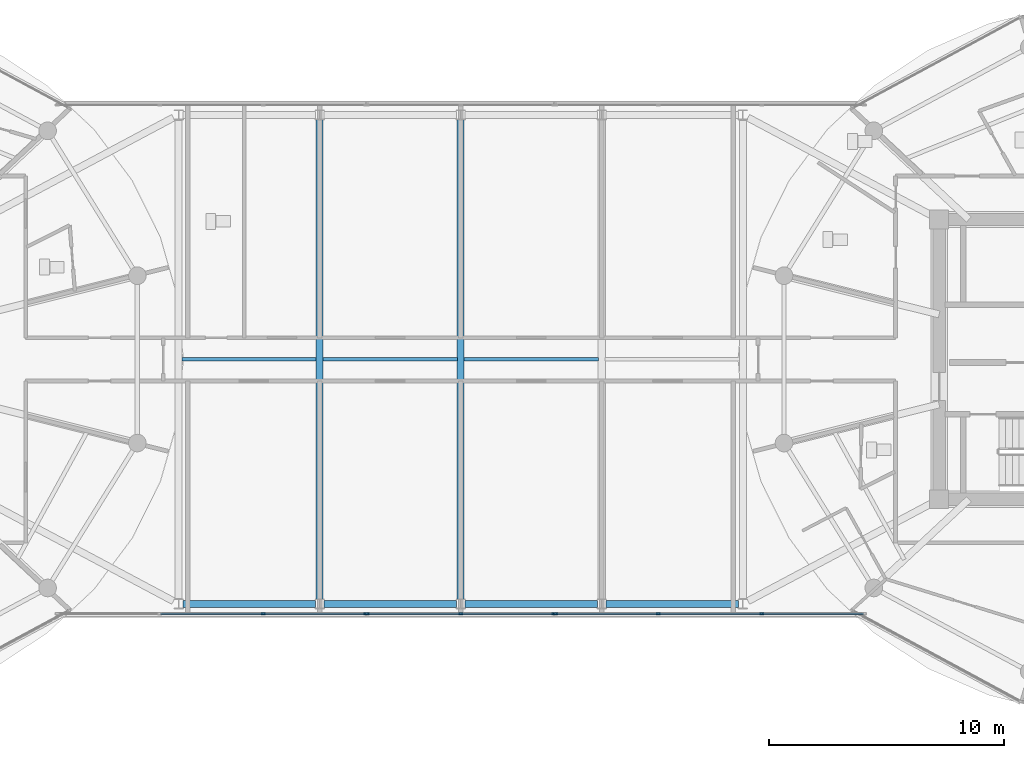
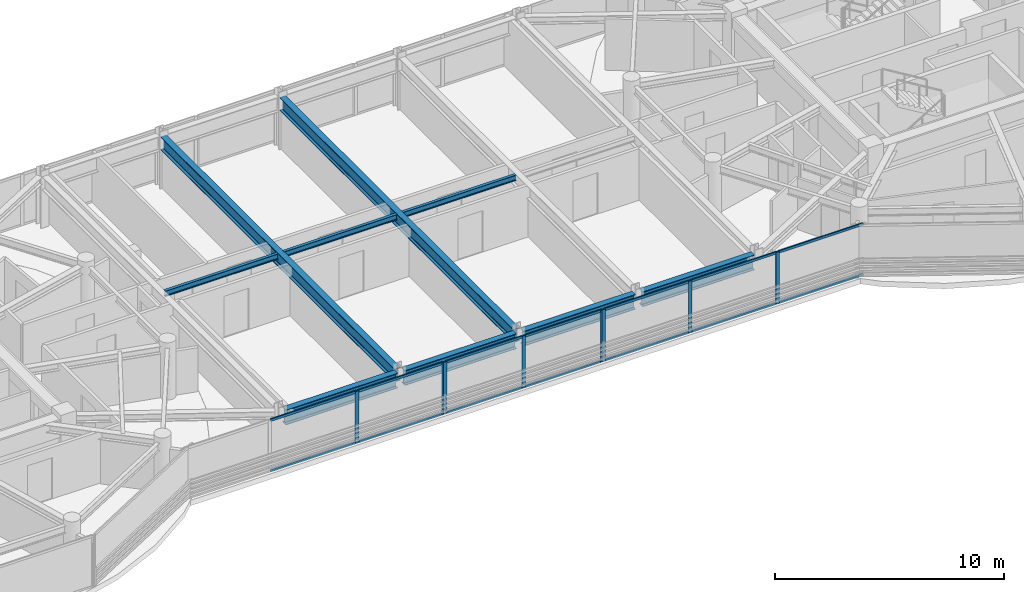
# One storey, part 6 of 26: 22 members, 9 beams, 3 elements without a shape of their own.
"""IFC4 building model written with IfcOpenShell, lengths in metres."""

from ifc_helpers import new_model, si_unit, direction, frame, origin, origin_2d, place, context, subcontext, project, spatial, rectangle, i_section, extrude, source, transform, mapped, material, layer, layer_set, material_profile, profile_set, type_object, type_shapes, element, aggregate, save


model = new_model("IFC4")

# Units and contexts
model_context = context("Model", 3, precision=1e-05, world=origin(), true_north=direction((0.0, 1.0)))
body_context = subcontext(model_context, "Body", "Model", "MODEL_VIEW")
ifc_project = project(units=[si_unit("LENGTHUNIT", "METRE"), si_unit("AREAUNIT", "SQUARE_METRE"), si_unit("VOLUMEUNIT", "CUBIC_METRE"), si_unit("PLANEANGLEUNIT", "RADIAN"), si_unit("MASSUNIT", "GRAM", prefix="KILO")], contexts=[model_context])

# Site, building, storey
site_placement = place(None, origin())
site = spatial("IfcSite", under=ifc_project, at=site_placement, CompositionType="ELEMENT")
building_placement = place(site_placement, origin())
building = spatial("IfcBuilding", under=site, at=building_placement, Name="Norrkilde Senior Care Towers", CompositionType="ELEMENT")
storey_placement = place(building_placement, frame((0.0, 0.0, 210.85009765625)))
storey = spatial("IfcBuildingStorey", under=building, at=storey_placement, Name="L65", CompositionType="ELEMENT", Elevation=210.85009765625)

# Beams
ifc_material_1 = material(Name="Steel S355", Category="steel")
ifc_material_profile_1 = material_profile(ifc_material_1, i_section(OverallWidth=0.300048828125, OverallDepth=0.699951171875, WebThickness=0.01708984375, FlangeThickness=0.031982421875, FilletRadius=0.027099609375, at=origin_2d()), Name="HEB 700")
ifc_profile_set_1 = profile_set([ifc_material_profile_1], Name="Steel S355")
beam_type_1 = type_object("IfcBeamType", Name="Bridge Cross Girder HEB700", PredefinedType="USERDEFINED", material=ifc_profile_set_1)
shared_shape_1 = source(origin(), body_context, "Body", "SweptSolid", [
    extrude(i_section(OverallWidth=0.300048828125, OverallDepth=0.699951171875, WebThickness=0.01708984375, FlangeThickness=0.031982421875, FilletRadius=0.027099609375, at=origin_2d()), origin(), (0.0, 0.0, 1.0), 20.43994140625),
])
type_shapes(beam_type_1, [shared_shape_1])
for number, where, z_axis, x_axis, name in (
    (1, (-6.0, -10.219970703125, 2.409912109375), (0.0, 1.0, 0.0), (-1.0, 0.0, 0.0), "L65 Sky-Gate Bridge Cross Girder -6"),
    (2, (0.0, -10.219970703125, 2.409912109375), (0.0, 1.0, 0.0), (-1.0, 0.0, 0.0), "L65 Sky-Gate Bridge Cross Girder +0"),
):
    element("IfcBeam", number, at=place(storey_placement, frame(where, z_axis=z_axis, x_axis=x_axis)), inside=storey, type_object=beam_type_1, Name=name, ObjectType="GIRDER", PredefinedType="USERDEFINED", context=body_context, shape_type="MappedRepresentation", body=[
        mapped(shared_shape_1, transform((0.0, 0.0, 0.0), x_axis=(1.0, 0.0, 0.0), y_axis=(0.0, 1.0, 0.0), z_axis=(0.0, 0.0, 1.0), scale=1.0)),
    ])
ifc_material_profile_2 = material_profile(ifc_material_1, i_section(OverallWidth=0.300048828125, OverallDepth=0.800048828125, WebThickness=0.017578125, FlangeThickness=0.032958984375, FilletRadius=0.030029296875, at=origin_2d()), Name="HEB 800")
ifc_profile_set_2 = profile_set([ifc_material_profile_2], Name="Steel S355")
beam_type_2 = type_object("IfcBeamType", Name="Bridge Floor Girder HEB800", PredefinedType="USERDEFINED", material=ifc_profile_set_2)
shared_shape_2 = source(origin(), body_context, "Body", "SweptSolid", [
    extrude(i_section(OverallWidth=0.300048828125, OverallDepth=0.800048828125, WebThickness=0.017578125, FlangeThickness=0.032958984375, FilletRadius=0.030029296875, at=origin_2d()), origin(), (0.0, 0.0, 1.0), 5.64013671875),
])
type_shapes(beam_type_2, [shared_shape_2])
for number, where, z_axis, x_axis, name in (
    (3, (-11.820068359375, -10.39990234375, 2.35986328125), (1.0, 0.0, 0.0), (0.0, 1.0, 0.0), "L65 Sky-Gate Bridge Girder S2"),
    (4, (-5.820068359375, -10.39990234375, 2.35986328125), (1.0, 0.0, 0.0), (0.0, 1.0, 0.0), "L65 Sky-Gate Bridge Girder S3"),
    (5, (0.179931640625, -10.39990234375, 2.35986328125), (1.0, 0.0, 0.0), (0.0, 1.0, 0.0), "L65 Sky-Gate Bridge Girder S4"),
    (6, (6.179931640625, -10.39990234375, 2.35986328125), (1.0, 0.0, 0.0), (0.0, 1.0, 0.0), "L65 Sky-Gate Bridge Girder S5"),
):
    element("IfcBeam", number, at=place(storey_placement, frame(where, z_axis=z_axis, x_axis=x_axis)), inside=storey, type_object=beam_type_2, Name=name, ObjectType="GIRDER", PredefinedType="USERDEFINED", context=body_context, shape_type="MappedRepresentation", body=[
        mapped(shared_shape_2, transform((0.0, 0.0, 0.0), x_axis=(1.0, 0.0, 0.0), y_axis=(0.0, 1.0, 0.0), z_axis=(0.0, 0.0, 1.0), scale=1.0)),
    ])
ifc_material_profile_3 = material_profile(ifc_material_1, i_section(OverallWidth=0.14990234375, OverallDepth=0.300048828125, WebThickness=0.007080078125, FlangeThickness=0.0107421875, FilletRadius=0.014892578125, at=origin_2d()), Name="IPE 300")
ifc_profile_set_3 = profile_set([ifc_material_profile_3], Name="Steel S355")
beam_type_3 = type_object("IfcBeamType", Name="Bridge Deck Joist IPE300", PredefinedType="JOIST", material=ifc_profile_set_3)
shared_shape_3 = source(origin(), body_context, "Body", "SweptSolid", [
    extrude(i_section(OverallWidth=0.14990234375, OverallDepth=0.300048828125, WebThickness=0.007080078125, FlangeThickness=0.0107421875, FilletRadius=0.014892578125, at=origin_2d()), origin(), (0.0, 0.0, 1.0), 5.7099609375),
])
type_shapes(beam_type_3, [shared_shape_3])
for number, where, z_axis, x_axis, name in (
    (7, (-11.85498046875, 0.0, 2.60986328125), (1.0, 0.0, 0.0), (0.0, 1.0, 0.0), "L65 Bridge Deck Joist 1"),
    (8, (-5.85498046875, 0.0, 2.60986328125), (1.0, 0.0, 0.0), (0.0, 1.0, 0.0), "L65 Bridge Deck Joist 2"),
    (9, (0.14501953125, 0.0, 2.60986328125), (1.0, 0.0, 0.0), (0.0, 1.0, 0.0), "L65 Bridge Deck Joist 3"),
):
    element("IfcBeam", number, at=place(storey_placement, frame(where, z_axis=z_axis, x_axis=x_axis)), inside=storey, type_object=beam_type_3, Name=name, PredefinedType="JOIST", context=body_context, shape_type="MappedRepresentation", body=[
        mapped(shared_shape_3, transform((0.0, 0.0, 0.0), x_axis=(1.0, 0.0, 0.0), y_axis=(0.0, 1.0, 0.0), z_axis=(0.0, 0.0, 1.0), scale=1.0)),
    ])

# Curtain wall, members
ifc_material_2 = material(Name="Triple Low-E Insulated Glazing", Category="glass")
ifc_layer = layer(ifc_material_2, 0.2099609375)
ifc_layer_set = layer_set([ifc_layer], Name="Triple Low-E Insulated Glazing")
curtain_wall_type = type_object("IfcCurtainWallType", Name="CW5 Sky-Gate Bridge Curtain Wall", PredefinedType="NOTDEFINED", material=ifc_layer_set)
curtain_wall_1_placement = place(storey_placement, origin())
curtain_wall_1 = element("IfcCurtainWall", 10, at=curtain_wall_1_placement, inside=storey, type_object=curtain_wall_type, Name="L65 Sky-Gate Bridge South Curtain Wall 1", PredefinedType="NOTDEFINED")
ifc_material_3 = material(Name="Anodised Aluminium", Category="aluminium")
ifc_material_profile_4 = material_profile(ifc_material_3, rectangle(XDim=0.06494140625, YDim=0.1298828125, at=origin_2d()), Name="ALU TRAN 65x130")
ifc_profile_set_4 = profile_set([ifc_material_profile_4], Name="Anodised Aluminium")
member_type_1 = type_object("IfcMemberType", Name="Curtain Wall Transom Heavy 65x130", PredefinedType="USERDEFINED", material=ifc_profile_set_4)
shared_shape_4 = source(origin(), body_context, "Body", "SweptSolid", [
    extrude(rectangle(XDim=0.06494140625, YDim=0.1298828125, at=origin_2d()), origin(), (0.0, 0.0, 1.0), 4.294921875),
])
member_1_placement = place(storey_placement, frame((17.1298828125, -10.820068359375, 0.032470703125), z_axis=(-1.0, 0.0, 0.0), x_axis=(0.0, -1.0, 0.0)))
member_1 = element("IfcMember", 11, at=member_1_placement, type_object=member_type_1, Name="CW-5 transom 1.1", ObjectType="TRANSOM", PredefinedType="USERDEFINED", context=body_context, shape_type="MappedRepresentation", body=[
    mapped(shared_shape_4, transform((0.0, 0.0, 0.0), x_axis=(1.0, 0.0, 0.0), y_axis=(0.0, 1.0, 0.0), z_axis=(0.0, 0.0, 1.0), scale=1.0)),
])
member_2_placement = place(storey_placement, frame((17.1298828125, -10.820068359375, 2.727294921875), z_axis=(-1.0, 0.0, 0.0), x_axis=(0.0, -1.0, 0.0)))
member_2 = element("IfcMember", 12, at=member_2_placement, type_object=member_type_1, Name="CW-5 transom 1.2", ObjectType="TRANSOM", PredefinedType="USERDEFINED", context=body_context, shape_type="MappedRepresentation", body=[
    mapped(shared_shape_4, transform((0.0, 0.0, 0.0), x_axis=(1.0, 0.0, 0.0), y_axis=(0.0, 1.0, 0.0), z_axis=(0.0, 0.0, 1.0), scale=1.0)),
])
member_3_placement = place(storey_placement, frame((8.364990234375, -10.820068359375, 0.032470703125), z_axis=(-1.0, 0.0, 0.0), x_axis=(0.0, -1.0, 0.0)))
member_3 = element("IfcMember", 13, at=member_3_placement, type_object=member_type_1, Name="CW-5 transom 3.1", ObjectType="TRANSOM", PredefinedType="USERDEFINED", context=body_context, shape_type="MappedRepresentation", body=[
    mapped(shared_shape_4, transform((0.0, 0.0, 0.0), x_axis=(1.0, 0.0, 0.0), y_axis=(0.0, 1.0, 0.0), z_axis=(0.0, 0.0, 1.0), scale=1.0)),
])
member_4_placement = place(storey_placement, frame((8.364990234375, -10.820068359375, 2.727294921875), z_axis=(-1.0, 0.0, 0.0), x_axis=(0.0, -1.0, 0.0)))
member_4 = element("IfcMember", 14, at=member_4_placement, type_object=member_type_1, Name="CW-5 transom 3.2", ObjectType="TRANSOM", PredefinedType="USERDEFINED", context=body_context, shape_type="MappedRepresentation", body=[
    mapped(shared_shape_4, transform((0.0, 0.0, 0.0), x_axis=(1.0, 0.0, 0.0), y_axis=(0.0, 1.0, 0.0), z_axis=(0.0, 0.0, 1.0), scale=1.0)),
])

curtain_wall_2_placement = place(storey_placement, origin())
curtain_wall_2 = element("IfcCurtainWall", 15, at=curtain_wall_2_placement, inside=storey, type_object=curtain_wall_type, Name="L65 Sky-Gate Bridge South Curtain Wall 3", PredefinedType="NOTDEFINED")
member_5_placement = place(storey_placement, frame((-4.070068359375, -10.820068359375, 0.032470703125), z_axis=(-1.0, 0.0, 0.0), x_axis=(0.0, -1.0, 0.0)))
member_5 = element("IfcMember", 16, at=member_5_placement, type_object=member_type_1, Name="CW-5 transom 1.1", ObjectType="TRANSOM", PredefinedType="USERDEFINED", context=body_context, shape_type="MappedRepresentation", body=[
    mapped(shared_shape_4, transform((0.0, 0.0, 0.0), x_axis=(1.0, 0.0, 0.0), y_axis=(0.0, 1.0, 0.0), z_axis=(0.0, 0.0, 1.0), scale=1.0)),
])
member_6_placement = place(storey_placement, frame((-4.070068359375, -10.820068359375, 2.727294921875), z_axis=(-1.0, 0.0, 0.0), x_axis=(0.0, -1.0, 0.0)))
member_6 = element("IfcMember", 17, at=member_6_placement, type_object=member_type_1, Name="CW-5 transom 1.2", ObjectType="TRANSOM", PredefinedType="USERDEFINED", context=body_context, shape_type="MappedRepresentation", body=[
    mapped(shared_shape_4, transform((0.0, 0.0, 0.0), x_axis=(1.0, 0.0, 0.0), y_axis=(0.0, 1.0, 0.0), z_axis=(0.0, 0.0, 1.0), scale=1.0)),
])

# Member
shared_shape_5 = source(origin(), body_context, "Body", "SweptSolid", [
    extrude(rectangle(XDim=0.06494140625, YDim=0.1298828125, at=origin_2d()), origin(), (0.0, 0.0, 1.0), 4.329833984375),
])
member_7_placement = place(storey_placement, frame((12.764892578125, -10.820068359375, 0.032470703125), z_axis=(-1.0, 0.0, 0.0), x_axis=(0.0, -1.0, 0.0)))
member_7 = element("IfcMember", 18, at=member_7_placement, type_object=member_type_1, Name="CW-5 transom 2.1", ObjectType="TRANSOM", PredefinedType="USERDEFINED", context=body_context, shape_type="MappedRepresentation", body=[
    mapped(shared_shape_5, transform((0.0, 0.0, 0.0), x_axis=(1.0, 0.0, 0.0), y_axis=(0.0, 1.0, 0.0), z_axis=(0.0, 0.0, 1.0), scale=1.0)),
])

member_8_placement = place(storey_placement, frame((12.764892578125, -10.820068359375, 2.727294921875), z_axis=(-1.0, 0.0, 0.0), x_axis=(0.0, -1.0, 0.0)))
member_8 = element("IfcMember", 19, at=member_8_placement, type_object=member_type_1, Name="CW-5 transom 2.2", ObjectType="TRANSOM", PredefinedType="USERDEFINED", context=body_context, shape_type="MappedRepresentation", body=[
    mapped(shared_shape_5, transform((0.0, 0.0, 0.0), x_axis=(1.0, 0.0, 0.0), y_axis=(0.0, 1.0, 0.0), z_axis=(0.0, 0.0, 1.0), scale=1.0)),
])

member_9_placement = place(storey_placement, frame((-8.43505859375, -10.820068359375, 0.032470703125), z_axis=(-1.0, 0.0, 0.0), x_axis=(0.0, -1.0, 0.0)))
member_9 = element("IfcMember", 20, at=member_9_placement, type_object=member_type_1, Name="CW-5 transom 2.1", ObjectType="TRANSOM", PredefinedType="USERDEFINED", context=body_context, shape_type="MappedRepresentation", body=[
    mapped(shared_shape_5, transform((0.0, 0.0, 0.0), x_axis=(1.0, 0.0, 0.0), y_axis=(0.0, 1.0, 0.0), z_axis=(0.0, 0.0, 1.0), scale=1.0)),
])

member_10_placement = place(storey_placement, frame((-8.43505859375, -10.820068359375, 2.727294921875), z_axis=(-1.0, 0.0, 0.0), x_axis=(0.0, -1.0, 0.0)))
member_10 = element("IfcMember", 21, at=member_10_placement, type_object=member_type_1, Name="CW-5 transom 2.2", ObjectType="TRANSOM", PredefinedType="USERDEFINED", context=body_context, shape_type="MappedRepresentation", body=[
    mapped(shared_shape_5, transform((0.0, 0.0, 0.0), x_axis=(1.0, 0.0, 0.0), y_axis=(0.0, 1.0, 0.0), z_axis=(0.0, 0.0, 1.0), scale=1.0)),
])

# Curtain wall, members
curtain_wall_3_placement = place(storey_placement, origin())
curtain_wall_3 = element("IfcCurtainWall", 22, at=curtain_wall_3_placement, inside=storey, type_object=curtain_wall_type, Name="L65 Sky-Gate Bridge South Curtain Wall 2", PredefinedType="NOTDEFINED")
shared_shape_6 = source(origin(), body_context, "Body", "SweptSolid", [
    extrude(rectangle(XDim=0.06494140625, YDim=0.1298828125, at=origin_2d()), origin(), (0.0, 0.0, 1.0), 3.89501953125),
])
type_shapes(member_type_1, [shared_shape_4, shared_shape_5, shared_shape_6])
member_11_placement = place(storey_placement, frame((3.929931640625, -10.820068359375, 0.032470703125), z_axis=(-1.0, 0.0, 0.0), x_axis=(0.0, -1.0, 0.0)))
member_11 = element("IfcMember", 23, at=member_11_placement, type_object=member_type_1, Name="CW-5 transom 1.1", ObjectType="TRANSOM", PredefinedType="USERDEFINED", context=body_context, shape_type="MappedRepresentation", body=[
    mapped(shared_shape_6, transform((0.0, 0.0, 0.0), x_axis=(1.0, 0.0, 0.0), y_axis=(0.0, 1.0, 0.0), z_axis=(0.0, 0.0, 1.0), scale=1.0)),
])
member_12_placement = place(storey_placement, frame((3.929931640625, -10.820068359375, 2.727294921875), z_axis=(-1.0, 0.0, 0.0), x_axis=(0.0, -1.0, 0.0)))
member_12 = element("IfcMember", 24, at=member_12_placement, type_object=member_type_1, Name="CW-5 transom 1.2", ObjectType="TRANSOM", PredefinedType="USERDEFINED", context=body_context, shape_type="MappedRepresentation", body=[
    mapped(shared_shape_6, transform((0.0, 0.0, 0.0), x_axis=(1.0, 0.0, 0.0), y_axis=(0.0, 1.0, 0.0), z_axis=(0.0, 0.0, 1.0), scale=1.0)),
])
member_13_placement = place(storey_placement, frame((-0.034912109375, -10.820068359375, 0.032470703125), z_axis=(-1.0, 0.0, 0.0), x_axis=(0.0, -1.0, 0.0)))
member_13 = element("IfcMember", 25, at=member_13_placement, type_object=member_type_1, Name="CW-5 transom 2.1", ObjectType="TRANSOM", PredefinedType="USERDEFINED", context=body_context, shape_type="MappedRepresentation", body=[
    mapped(shared_shape_6, transform((0.0, 0.0, 0.0), x_axis=(1.0, 0.0, 0.0), y_axis=(0.0, 1.0, 0.0), z_axis=(0.0, 0.0, 1.0), scale=1.0)),
])
member_14_placement = place(storey_placement, frame((-0.034912109375, -10.820068359375, 2.727294921875), z_axis=(-1.0, 0.0, 0.0), x_axis=(0.0, -1.0, 0.0)))
member_14 = element("IfcMember", 26, at=member_14_placement, type_object=member_type_1, Name="CW-5 transom 2.2", ObjectType="TRANSOM", PredefinedType="USERDEFINED", context=body_context, shape_type="MappedRepresentation", body=[
    mapped(shared_shape_6, transform((0.0, 0.0, 0.0), x_axis=(1.0, 0.0, 0.0), y_axis=(0.0, 1.0, 0.0), z_axis=(0.0, 0.0, 1.0), scale=1.0)),
])

# Member
ifc_material_profile_5 = material_profile(ifc_material_3, rectangle(XDim=0.070068359375, YDim=0.169921875, at=origin_2d()), Name="ALU MULL 70x170")
ifc_profile_set_5 = profile_set([ifc_material_profile_5], Name="Anodised Aluminium")
member_type_2 = type_object("IfcMemberType", Name="Curtain Wall Mullion Heavy 70x170", PredefinedType="MULLION", material=ifc_profile_set_5)
shared_shape_7 = source(origin(), body_context, "Body", "SweptSolid", [
    extrude(rectangle(XDim=0.070068359375, YDim=0.169921875, at=origin_2d()), origin(), (0.0, 0.0, 1.0), 2.760009765625),
])
type_shapes(member_type_2, [shared_shape_7])
member_15_placement = place(storey_placement, frame((12.800048828125, -10.820068359375, 0.0), z_axis=(0.0, 0.0, 1.0), x_axis=(0.0, -1.0, 0.0)))
member_15 = element("IfcMember", 27, at=member_15_placement, type_object=member_type_2, Name="CW-5 mullion 2", PredefinedType="MULLION", context=body_context, shape_type="MappedRepresentation", body=[
    mapped(shared_shape_7, transform((0.0, 0.0, 0.0), x_axis=(1.0, 0.0, 0.0), y_axis=(0.0, 1.0, 0.0), z_axis=(0.0, 0.0, 1.0), scale=1.0)),
])

member_16_placement = place(storey_placement, frame((8.39990234375, -10.820068359375, 0.0), z_axis=(0.0, 0.0, 1.0), x_axis=(0.0, -1.0, 0.0)))
member_16 = element("IfcMember", 28, at=member_16_placement, type_object=member_type_2, Name="CW-5 mullion 3", PredefinedType="MULLION", context=body_context, shape_type="MappedRepresentation", body=[
    mapped(shared_shape_7, transform((0.0, 0.0, 0.0), x_axis=(1.0, 0.0, 0.0), y_axis=(0.0, 1.0, 0.0), z_axis=(0.0, 0.0, 1.0), scale=1.0)),
])

member_17_placement = place(storey_placement, frame((4.034912109375, -10.820068359375, 0.0), z_axis=(0.0, 0.0, 1.0), x_axis=(0.0, -1.0, 0.0)))
member_17 = element("IfcMember", 29, at=member_17_placement, type_object=member_type_2, Name="CW-5 mullion 4", PredefinedType="MULLION", context=body_context, shape_type="MappedRepresentation", body=[
    mapped(shared_shape_7, transform((0.0, 0.0, 0.0), x_axis=(1.0, 0.0, 0.0), y_axis=(0.0, 1.0, 0.0), z_axis=(0.0, 0.0, 1.0), scale=1.0)),
])

aggregate(curtain_wall_1, [member_15, member_16, member_17, member_1, member_2, member_7, member_8, member_3, member_4])

member_18_placement = place(storey_placement, frame((3.965087890625, -10.820068359375, 0.0), z_axis=(0.0, 0.0, 1.0), x_axis=(0.0, -1.0, 0.0)))
member_18 = element("IfcMember", 30, at=member_18_placement, type_object=member_type_2, Name="CW-5 mullion 1", PredefinedType="MULLION", context=body_context, shape_type="MappedRepresentation", body=[
    mapped(shared_shape_7, transform((0.0, 0.0, 0.0), x_axis=(1.0, 0.0, 0.0), y_axis=(0.0, 1.0, 0.0), z_axis=(0.0, 0.0, 1.0), scale=1.0)),
])

member_19_placement = place(storey_placement, frame((0.0, -10.820068359375, 0.0), z_axis=(0.0, 0.0, 1.0), x_axis=(0.0, -1.0, 0.0)))
member_19 = element("IfcMember", 31, at=member_19_placement, type_object=member_type_2, Name="CW-5 mullion 2", PredefinedType="MULLION", context=body_context, shape_type="MappedRepresentation", body=[
    mapped(shared_shape_7, transform((0.0, 0.0, 0.0), x_axis=(1.0, 0.0, 0.0), y_axis=(0.0, 1.0, 0.0), z_axis=(0.0, 0.0, 1.0), scale=1.0)),
])

member_20_placement = place(storey_placement, frame((-3.965087890625, -10.820068359375, 0.0), z_axis=(0.0, 0.0, 1.0), x_axis=(0.0, -1.0, 0.0)))
member_20 = element("IfcMember", 32, at=member_20_placement, type_object=member_type_2, Name="CW-5 mullion 3", PredefinedType="MULLION", context=body_context, shape_type="MappedRepresentation", body=[
    mapped(shared_shape_7, transform((0.0, 0.0, 0.0), x_axis=(1.0, 0.0, 0.0), y_axis=(0.0, 1.0, 0.0), z_axis=(0.0, 0.0, 1.0), scale=1.0)),
])

aggregate(curtain_wall_3, [member_18, member_19, member_20, member_11, member_12, member_13, member_14])

member_21_placement = place(storey_placement, frame((-4.034912109375, -10.820068359375, 0.0), z_axis=(0.0, 0.0, 1.0), x_axis=(0.0, -1.0, 0.0)))
member_21 = element("IfcMember", 33, at=member_21_placement, type_object=member_type_2, Name="CW-5 mullion 1", PredefinedType="MULLION", context=body_context, shape_type="MappedRepresentation", body=[
    mapped(shared_shape_7, transform((0.0, 0.0, 0.0), x_axis=(1.0, 0.0, 0.0), y_axis=(0.0, 1.0, 0.0), z_axis=(0.0, 0.0, 1.0), scale=1.0)),
])

member_22_placement = place(storey_placement, frame((-8.39990234375, -10.820068359375, 0.0), z_axis=(0.0, 0.0, 1.0), x_axis=(0.0, -1.0, 0.0)))
member_22 = element("IfcMember", 34, at=member_22_placement, type_object=member_type_2, Name="CW-5 mullion 2", PredefinedType="MULLION", context=body_context, shape_type="MappedRepresentation", body=[
    mapped(shared_shape_7, transform((0.0, 0.0, 0.0), x_axis=(1.0, 0.0, 0.0), y_axis=(0.0, 1.0, 0.0), z_axis=(0.0, 0.0, 1.0), scale=1.0)),
])

aggregate(curtain_wall_2, [member_21, member_22, member_5, member_6, member_9, member_10])

save(model, "model.ifc")
